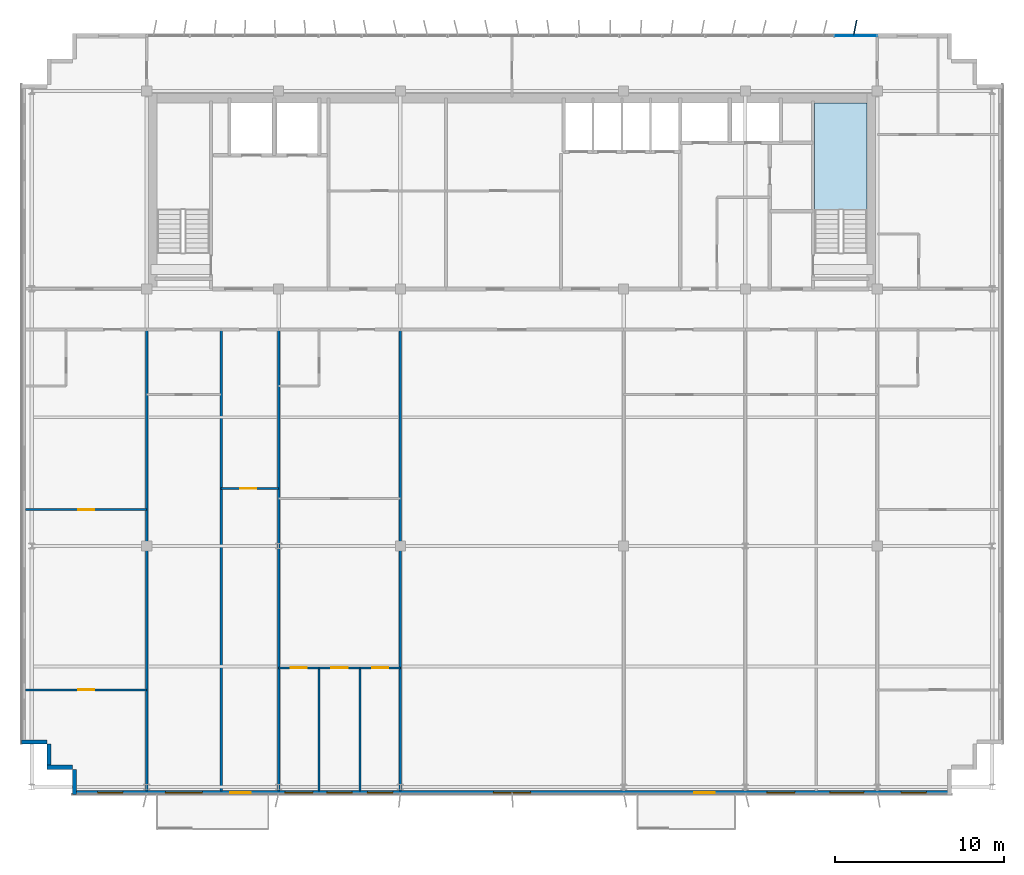
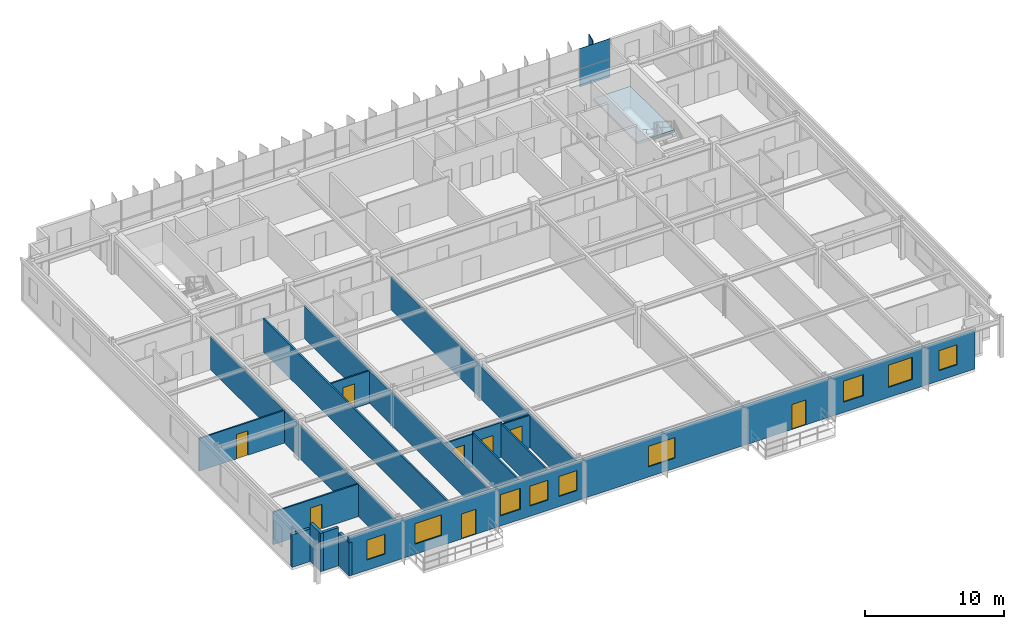
# One storey, part 16 of 22: 17 walls, 9 windows, 8 doors, 3 plates, 1 slab, 17 openings, 2 elements without a shape of their own.
"""IFC4 building model written with IfcOpenShell, lengths in metres."""

from ifc_helpers import new_model, si_unit, direction, frame, frame_2d, origin, origin_2d, place, context, subcontext, project, spatial, polyline, rectangle, outline, extrude, source, transform, mapped, material, layer, layer_set, type_object, element, fill, aggregate, save


model = new_model("IFC4")

# Units and contexts
model_context = context("Model", 3, precision=1e-05, world=origin(), true_north=direction((0.0, 1.0)))
body_context = subcontext(model_context, "Body", "Model", "MODEL_VIEW")
ifc_project = project(units=[si_unit("LENGTHUNIT", "METRE"), si_unit("AREAUNIT", "SQUARE_METRE"), si_unit("VOLUMEUNIT", "CUBIC_METRE"), si_unit("PLANEANGLEUNIT", "RADIAN"), si_unit("MASSUNIT", "GRAM", prefix="KILO")], contexts=[model_context])

# Site, building, storey
site_placement = place(None, origin())
site = spatial("IfcSite", under=ifc_project, at=site_placement, CompositionType="ELEMENT")
building_placement = place(site_placement, origin())
building = spatial("IfcBuilding", under=site, at=building_placement, Name="Trelvane Seafront Commons", CompositionType="ELEMENT")
storey_placement = place(building_placement, frame((0.0, 0.0, 277.5)))
storey = spatial("IfcBuildingStorey", under=building, at=storey_placement, Name="L72", CompositionType="ELEMENT", Elevation=277.5)

# Stair, slab
ifc_material_1 = material(Name="Concrete C40/50", Category="concrete")
stair_type = type_object("IfcStairType", Name="ARCH-STR-ST-2-R20-180", PredefinedType="HALF_TURN_STAIR", material=ifc_material_1)
stair_placement = place(storey_placement, origin())
stair = element("IfcStair", 1, at=stair_placement, inside=storey, type_object=stair_type, Name="L72 East Protected Firefighting Exit Stair ST-2", PredefinedType="HALF_TURN_STAIR")
ifc_layer_1 = layer(ifc_material_1, 0.199951171875, Name="ARCH-LND-200")
ifc_layer_set_1 = layer_set([ifc_layer_1], Name="Concrete C40/50")
slab_type = type_object("IfcSlabType", Name="ARCH-LND-200", PredefinedType="LANDING", material=ifc_layer_set_1)
slab_placement = place(storey_placement, frame((0.0, 0.0, 1.60009765625)))
slab = element("IfcSlab", 2, at=slab_placement, type_object=slab_type, Name="ST-2 landing 1", PredefinedType="LANDING", context=body_context, shape_type="SweptSolid", body=[
    extrude(outline(polyline([(58.199951171875, 38.070068359375), (58.199951171875, 44.39990234375), (55.10009765625, 44.39990234375), (55.10009765625, 38.070068359375), (58.199951171875, 38.070068359375)])), origin(), (0.0, 0.0, 1.0), 0.199951171875),
])
aggregate(stair, [slab])

# Plate
ifc_material_2 = material(Name="Anodised pale-silver aluminium", Category="aluminium")
ifc_layer_2 = layer(ifc_material_2, 0.06005859375, Name="ARCH-PLATE-FIN900")
ifc_layer_set_2 = layer_set([ifc_layer_2], Name="Anodised pale-silver aluminium")
plate_type_1 = type_object("IfcPlateType", Name="ARCH-PLATE-FIN900", PredefinedType="USERDEFINED", material=ifc_layer_set_2)
shared_shape_1 = source(origin(), body_context, "Body", "SweptSolid", [
    extrude(rectangle(XDim=0.89990234375, YDim=0.06005859375, at=origin_2d()), origin(), (0.0, 0.0, 1.0), 3.639892578125),
])
plate_1_placement = place(storey_placement, frame((57.489990234375, 48.8408203125, -0.02001953125), z_axis=(0.0, 0.0, 1.0), x_axis=(0.199896385395, 0.979817041649, 0.0)))
element("IfcPlate", 3, at=plate_1_placement, inside=storey, type_object=plate_type_1, Name="FIN-L72-02027", ObjectType="FIN", PredefinedType="USERDEFINED", context=body_context, shape_type="MappedRepresentation", body=[
    mapped(shared_shape_1, transform((0.0, 0.0, 0.0), x_axis=(1.0, 0.0, 0.0), y_axis=(0.0, 1.0, 0.0), z_axis=(0.0, 0.0, 1.0), scale=1.0)),
])

# Curtain wall, plates
curtain_wall_type = type_object("IfcCurtainWallType", Name="ARCH-CW5-UPTOWER", PredefinedType="NOTDEFINED", material=ifc_material_2)
curtain_wall_placement = place(storey_placement, origin())
curtain_wall = element("IfcCurtainWall", 4, at=curtain_wall_placement, inside=storey, type_object=curtain_wall_type, Name="CW-L72-0116", PredefinedType="NOTDEFINED")
ifc_material_3 = material(Name="Low-E coastal double glazing", Category="glass")
ifc_layer_3 = layer(ifc_material_3, 0.033935546875, Name="ARCH-CW-GLAZ-34")
ifc_layer_set_3 = layer_set([ifc_layer_3], Name="Low-E coastal double glazing")
plate_type_2 = type_object("IfcPlateType", Name="ARCH-CW-GLAZ-34", PredefinedType="CURTAIN_PANEL", material=ifc_layer_set_3)
shared_shape_2 = source(origin(), body_context, "Body", "SweptSolid", [
    extrude(rectangle(XDim=2.51708984375, YDim=0.033935546875, at=origin_2d()), origin(), (0.0, 0.0, 1.0), 1.60009765625),
])
plate_2_placement = place(storey_placement, frame((57.529296875, 48.3701171875, 0.0), z_axis=(0.0, 0.0, 1.0), x_axis=(1.0, 0.0, 0.0)))
plate_2 = element("IfcPlate", 5, at=plate_2_placement, type_object=plate_type_2, Name="CW-L72-0116-P16-1", PredefinedType="CURTAIN_PANEL", context=body_context, shape_type="MappedRepresentation", body=[
    mapped(shared_shape_2, transform((0.0, 0.0, 0.0), x_axis=(1.0, 0.0, 0.0), y_axis=(0.0, 1.0, 0.0), z_axis=(0.0, 0.0, 1.0), scale=1.0)),
])
shared_shape_3 = source(origin(), body_context, "Body", "SweptSolid", [
    extrude(rectangle(XDim=2.51708984375, YDim=0.033935546875, at=origin_2d()), origin(), (0.0, 0.0, 1.0), 1.73388671875),
])
plate_3_placement = place(storey_placement, frame((57.529296875, 48.3701171875, 1.635986328125), z_axis=(0.0, 0.0, 1.0), x_axis=(1.0, 0.0, 0.0)))
plate_3 = element("IfcPlate", 6, at=plate_3_placement, type_object=plate_type_2, Name="CW-L72-0116-P16-2", PredefinedType="CURTAIN_PANEL", context=body_context, shape_type="MappedRepresentation", body=[
    mapped(shared_shape_3, transform((0.0, 0.0, 0.0), x_axis=(1.0, 0.0, 0.0), y_axis=(0.0, 1.0, 0.0), z_axis=(0.0, 0.0, 1.0), scale=1.0)),
])
aggregate(curtain_wall, [plate_2, plate_3])

# Walls
ifc_material_4 = material(Name="Precast concrete C40/50", Category="concrete")
ifc_layer_4 = layer(ifc_material_4, 0.239990234375, Name="ARCH-WALL-EXT240")
ifc_layer_set_4 = layer_set([ifc_layer_4], Name="Precast concrete C40/50")
wall_type_1 = type_object("IfcWallType", Name="ARCH-WALL-EXT240", PredefinedType="SOLIDWALL", material=ifc_layer_set_4)
for number, where, z_axis, x_axis, name in (
    (7, (11.199951171875, 5.1201171875, 0.0), (0.0, 0.0, 1.0), (-1.0, 0.0, 0.0), "EW-L72-01447"),
    (8, (9.820068359375, 5.0, 0.0), (0.0, 0.0, 1.0), (0.0, 1.0, 0.0), "EW-L72-01448"),
):
    element("IfcWall", number, at=place(storey_placement, frame(where, z_axis=z_axis, x_axis=x_axis)), inside=storey, type_object=wall_type_1, Name=name, PredefinedType="SOLIDWALL", context=body_context, shape_type="SweptSolid", body=[
        extrude(rectangle(XDim=1.5, YDim=0.239990234375, at=frame_2d((0.75, 0.0))), origin(), (0.0, 0.0, 1.0), 3.3701171875),
    ])
wall_1_placement = place(storey_placement, frame((9.699951171875, 6.6201171875, 0.0), z_axis=(0.0, 0.0, 1.0), x_axis=(-1.0, 0.0, 0.0)))
element("IfcWall", 9, at=wall_1_placement, inside=storey, type_object=wall_type_1, Name="EW-L72-01449", PredefinedType="SOLIDWALL", context=body_context, shape_type="SweptSolid", body=[
    extrude(rectangle(XDim=1.5, YDim=0.239990234375, at=frame_2d((0.75, 0.0))), origin(), (0.0, 0.0, 1.0), 2.8701171875),
])

# Wall, openings, doors, windows
wall_2_placement = place(storey_placement, frame((63.199951171875, 3.6201171875, 0.0), z_axis=(0.0, 0.0, 1.0), x_axis=(-1.0, 0.0, 0.0)))
wall_2 = element("IfcWall", 10, at=wall_2_placement, inside=storey, type_object=wall_type_1, Name="EW-L72-01464", PredefinedType="SOLIDWALL", context=body_context, shape_type="SweptSolid", body=[
    extrude(rectangle(XDim=52.0, YDim=0.239990234375, at=frame_2d((26.0, 0.0))), origin(), (0.0, 0.0, 1.0), 3.3701171875),
])
opening_1_placement = place(wall_2_placement, frame((1.4951171875, 0.0, 0.89990234375)))
opening_1 = element("IfcOpeningElement", 11, at=opening_1_placement, cuts=wall_2, Name="Opening W03", PredefinedType="OPENING", context=body_context, shape_type="SweptSolid", body=[
    extrude(rectangle(XDim=1.5, YDim=1.75, at=frame_2d((0.75, 0.875))), frame((0.0, 0.1298828125, 0.0), z_axis=(0.0, -1.0, 0.0), x_axis=(1.0, 0.0, 0.0)), (0.0, 0.0, 1.0), 0.260009765625),
])
opening_2_placement = place(wall_2_placement, frame((5.199951171875, 0.0, 0.89990234375)))
opening_2 = element("IfcOpeningElement", 12, at=opening_2_placement, cuts=wall_2, Name="Opening W06", PredefinedType="OPENING", context=body_context, shape_type="SweptSolid", body=[
    extrude(rectangle(XDim=2.0, YDim=1.949951171875, at=frame_2d((1.0, 0.97509765625))), frame((0.0, 0.1298828125, 0.0), z_axis=(0.0, -1.0, 0.0), x_axis=(1.0, 0.0, 0.0)), (0.0, 0.0, 1.0), 0.260009765625),
])
opening_3_placement = place(wall_2_placement, frame((9.27490234375, 0.0, 0.89990234375)))
opening_3 = element("IfcOpeningElement", 13, at=opening_3_placement, cuts=wall_2, Name="Opening W07", PredefinedType="OPENING", context=body_context, shape_type="SweptSolid", body=[
    extrude(rectangle(XDim=1.64990234375, YDim=1.85009765625, at=frame_2d((0.824951171875, 0.925048828125))), frame((0.0, 0.1298828125, 0.0), z_axis=(0.0, -1.0, 0.0), x_axis=(1.0, 0.0, 0.0)), (0.0, 0.0, 1.0), 0.260009765625),
])
opening_4_placement = place(wall_2_placement, frame((14.01708984375, 0.0, 0.0)))
opening_4 = element("IfcOpeningElement", 14, at=opening_4_placement, cuts=wall_2, Name="Opening BD-L72-146", PredefinedType="OPENING", context=body_context, shape_type="SweptSolid", body=[
    extrude(rectangle(XDim=1.199951171875, YDim=2.199951171875, at=frame_2d((0.60009765625, 1.10009765625))), frame((0.0, 0.1298828125, 0.0), z_axis=(0.0, -1.0, 0.0), x_axis=(1.0, 0.0, 0.0)), (0.0, 0.0, 1.0), 0.260009765625),
])
opening_5_placement = place(wall_2_placement, frame((24.89990234375, 0.0, 0.89990234375)))
opening_5 = element("IfcOpeningElement", 15, at=opening_5_placement, cuts=wall_2, Name="Opening W02", PredefinedType="OPENING", context=body_context, shape_type="SweptSolid", body=[
    extrude(rectangle(XDim=2.199951171875, YDim=1.800048828125, at=frame_2d((1.10009765625, 0.89990234375))), frame((0.0, 0.1298828125, 0.0), z_axis=(0.0, -1.0, 0.0), x_axis=(1.0, 0.0, 0.0)), (0.0, 0.0, 1.0), 0.260009765625),
])
opening_6_placement = place(wall_2_placement, frame((33.050048828125, 0.0, 0.89990234375)))
opening_6 = element("IfcOpeningElement", 16, at=opening_6_placement, cuts=wall_2, Name="Opening W03", PredefinedType="OPENING", context=body_context, shape_type="SweptSolid", body=[
    extrude(rectangle(XDim=1.5, YDim=1.75, at=frame_2d((0.75, 0.875))), frame((0.0, 0.1298828125, 0.0), z_axis=(0.0, -1.0, 0.0), x_axis=(1.0, 0.0, 0.0)), (0.0, 0.0, 1.0), 0.260009765625),
])
opening_7_placement = place(wall_2_placement, frame((35.449951171875, 0.0, 0.89990234375)))
opening_7 = element("IfcOpeningElement", 17, at=opening_7_placement, cuts=wall_2, Name="Opening W03", PredefinedType="OPENING", context=body_context, shape_type="SweptSolid", body=[
    extrude(rectangle(XDim=1.5, YDim=1.75, at=frame_2d((0.75, 0.875))), frame((0.0, 0.1298828125, 0.0), z_axis=(0.0, -1.0, 0.0), x_axis=(1.0, 0.0, 0.0)), (0.0, 0.0, 1.0), 0.260009765625),
])
opening_8_placement = place(wall_2_placement, frame((37.77490234375, 0.0, 0.89990234375)))
opening_8 = element("IfcOpeningElement", 18, at=opening_8_placement, cuts=wall_2, Name="Opening W07", PredefinedType="OPENING", context=body_context, shape_type="SweptSolid", body=[
    extrude(rectangle(XDim=1.64990234375, YDim=1.85009765625, at=frame_2d((0.824951171875, 0.925048828125))), frame((0.0, 0.1298828125, 0.0), z_axis=(0.0, -1.0, 0.0), x_axis=(1.0, 0.0, 0.0)), (0.0, 0.0, 1.0), 0.260009765625),
])
opening_9_placement = place(wall_2_placement, frame((41.451904296875, 0.0, 0.0)))
opening_9 = element("IfcOpeningElement", 19, at=opening_9_placement, cuts=wall_2, Name="Opening BD-L72-147", PredefinedType="OPENING", context=body_context, shape_type="SweptSolid", body=[
    extrude(rectangle(XDim=1.199951171875, YDim=2.199951171875, at=frame_2d((0.60009765625, 1.10009765625))), frame((0.0, 0.1298828125, 0.0), z_axis=(0.0, -1.0, 0.0), x_axis=(1.0, 0.0, 0.0)), (0.0, 0.0, 1.0), 0.260009765625),
])
opening_10_placement = place(wall_2_placement, frame((44.300048828125, 0.0, 0.89990234375)))
opening_10 = element("IfcOpeningElement", 20, at=opening_10_placement, cuts=wall_2, Name="Opening W02", PredefinedType="OPENING", context=body_context, shape_type="SweptSolid", body=[
    extrude(rectangle(XDim=2.199951171875, YDim=1.800048828125, at=frame_2d((1.10009765625, 0.89990234375))), frame((0.0, 0.1298828125, 0.0), z_axis=(0.0, -1.0, 0.0), x_axis=(1.0, 0.0, 0.0)), (0.0, 0.0, 1.0), 0.260009765625),
])
opening_11_placement = place(wall_2_placement, frame((49.0048828125, 0.0, 0.89990234375)))
opening_11 = element("IfcOpeningElement", 21, at=opening_11_placement, cuts=wall_2, Name="Opening W03", PredefinedType="OPENING", context=body_context, shape_type="SweptSolid", body=[
    extrude(rectangle(XDim=1.5, YDim=1.75, at=frame_2d((0.75, 0.875))), frame((0.0, 0.1298828125, 0.0), z_axis=(0.0, -1.0, 0.0), x_axis=(1.0, 0.0, 0.0)), (0.0, 0.0, 1.0), 0.260009765625),
])
ifc_material_5 = material(Name="Powder-coated aluminium frame", Category="aluminium")
door_type_1 = type_object("IfcDoorType", Name="ARCH-DR-BAL1200", OperationType="NOTDEFINED", PredefinedType="DOOR", material=ifc_material_5)
shared_shape_4 = source(origin(), body_context, "Body", "SweptSolid", [
    extrude(rectangle(XDim=1.199951171875, YDim=2.199951171875, at=frame_2d((0.60009765625, 1.10009765625))), frame((0.0, 0.02490234375, 0.0), z_axis=(0.0, -1.0, 0.0), x_axis=(1.0, 0.0, 0.0)), (0.0, 0.0, 1.0), 0.050048828125),
])
door_1_placement = place(opening_4_placement, origin())
door_1 = element("IfcDoor", 22, at=door_1_placement, inside=storey, type_object=door_type_1, Name="L72 Balcony Terrace Access Door", OperationType="SINGLE_SWING_LEFT", OverallHeight=2.199951171875, OverallWidth=1.199951171875, PredefinedType="DOOR", context=body_context, shape_type="MappedRepresentation", body=[
    mapped(shared_shape_4, transform((0.0, 0.0, 0.0), x_axis=(1.0, 0.0, 0.0), y_axis=(0.0, 1.0, 0.0), z_axis=(0.0, 0.0, 1.0), scale=1.0)),
])
fill(opening_4, door_1)
door_2_placement = place(opening_9_placement, origin())
door_2 = element("IfcDoor", 23, at=door_2_placement, inside=storey, type_object=door_type_1, Name="L72 Balcony Terrace Access Door", OperationType="SINGLE_SWING_LEFT", OverallHeight=2.199951171875, OverallWidth=1.199951171875, PredefinedType="DOOR", context=body_context, shape_type="MappedRepresentation", body=[
    mapped(shared_shape_4, transform((0.0, 0.0, 0.0), x_axis=(1.0, 0.0, 0.0), y_axis=(0.0, 1.0, 0.0), z_axis=(0.0, 0.0, 1.0), scale=1.0)),
])
fill(opening_9, door_2)
window_type_1 = type_object("IfcWindowType", Name="ARCH-WIN-W02", PartitioningType="SINGLE_PANEL", PredefinedType="WINDOW", material=ifc_material_3)
shared_shape_5 = source(origin(), body_context, "Body", "SweptSolid", [
    extrude(rectangle(XDim=2.199951171875, YDim=1.800048828125, at=frame_2d((1.10009765625, 0.89990234375))), frame((0.0, 0.030029296875, 0.0), z_axis=(0.0, -1.0, 0.0), x_axis=(1.0, 0.0, 0.0)), (0.0, 0.0, 1.0), 0.06005859375),
])
window_1_placement = place(opening_5_placement, origin())
window_1 = element("IfcWindow", 24, at=window_1_placement, inside=storey, type_object=window_type_1, Name="WIN-L72-01741", OverallHeight=1.800048828125, OverallWidth=2.199951171875, PartitioningType="SINGLE_PANEL", PredefinedType="WINDOW", context=body_context, shape_type="MappedRepresentation", body=[
    mapped(shared_shape_5, transform((0.0, 0.0, 0.0), x_axis=(1.0, 0.0, 0.0), y_axis=(0.0, 1.0, 0.0), z_axis=(0.0, 0.0, 1.0), scale=1.0)),
])
fill(opening_5, window_1)
window_2_placement = place(opening_10_placement, origin())
window_2 = element("IfcWindow", 25, at=window_2_placement, inside=storey, type_object=window_type_1, Name="WIN-L72-01745", OverallHeight=1.800048828125, OverallWidth=2.199951171875, PartitioningType="SINGLE_PANEL", PredefinedType="WINDOW", context=body_context, shape_type="MappedRepresentation", body=[
    mapped(shared_shape_5, transform((0.0, 0.0, 0.0), x_axis=(1.0, 0.0, 0.0), y_axis=(0.0, 1.0, 0.0), z_axis=(0.0, 0.0, 1.0), scale=1.0)),
])
fill(opening_10, window_2)
window_type_2 = type_object("IfcWindowType", Name="ARCH-WIN-W03", PartitioningType="SINGLE_PANEL", PredefinedType="WINDOW", material=ifc_material_3)
shared_shape_6 = source(origin(), body_context, "Body", "SweptSolid", [
    extrude(rectangle(XDim=1.5, YDim=1.75, at=frame_2d((0.75, 0.875))), frame((0.0, 0.030029296875, 0.0), z_axis=(0.0, -1.0, 0.0), x_axis=(1.0, 0.0, 0.0)), (0.0, 0.0, 1.0), 0.06005859375),
])
window_3_placement = place(opening_1_placement, origin())
window_3 = element("IfcWindow", 26, at=window_3_placement, inside=storey, type_object=window_type_2, Name="WIN-L72-01738", OverallHeight=1.75, OverallWidth=1.5, PartitioningType="SINGLE_PANEL", PredefinedType="WINDOW", context=body_context, shape_type="MappedRepresentation", body=[
    mapped(shared_shape_6, transform((0.0, 0.0, 0.0), x_axis=(1.0, 0.0, 0.0), y_axis=(0.0, 1.0, 0.0), z_axis=(0.0, 0.0, 1.0), scale=1.0)),
])
fill(opening_1, window_3)
window_4_placement = place(opening_6_placement, origin())
window_4 = element("IfcWindow", 27, at=window_4_placement, inside=storey, type_object=window_type_2, Name="WIN-L72-01742", OverallHeight=1.75, OverallWidth=1.5, PartitioningType="SINGLE_PANEL", PredefinedType="WINDOW", context=body_context, shape_type="MappedRepresentation", body=[
    mapped(shared_shape_6, transform((0.0, 0.0, 0.0), x_axis=(1.0, 0.0, 0.0), y_axis=(0.0, 1.0, 0.0), z_axis=(0.0, 0.0, 1.0), scale=1.0)),
])
fill(opening_6, window_4)
window_5_placement = place(opening_7_placement, origin())
window_5 = element("IfcWindow", 28, at=window_5_placement, inside=storey, type_object=window_type_2, Name="WIN-L72-01743", OverallHeight=1.75, OverallWidth=1.5, PartitioningType="SINGLE_PANEL", PredefinedType="WINDOW", context=body_context, shape_type="MappedRepresentation", body=[
    mapped(shared_shape_6, transform((0.0, 0.0, 0.0), x_axis=(1.0, 0.0, 0.0), y_axis=(0.0, 1.0, 0.0), z_axis=(0.0, 0.0, 1.0), scale=1.0)),
])
fill(opening_7, window_5)
window_6_placement = place(opening_11_placement, origin())
window_6 = element("IfcWindow", 29, at=window_6_placement, inside=storey, type_object=window_type_2, Name="WIN-L72-01746", OverallHeight=1.75, OverallWidth=1.5, PartitioningType="SINGLE_PANEL", PredefinedType="WINDOW", context=body_context, shape_type="MappedRepresentation", body=[
    mapped(shared_shape_6, transform((0.0, 0.0, 0.0), x_axis=(1.0, 0.0, 0.0), y_axis=(0.0, 1.0, 0.0), z_axis=(0.0, 0.0, 1.0), scale=1.0)),
])
fill(opening_11, window_6)
window_type_3 = type_object("IfcWindowType", Name="ARCH-WIN-W06", PartitioningType="SINGLE_PANEL", PredefinedType="WINDOW", material=ifc_material_3)
shared_shape_7 = source(origin(), body_context, "Body", "SweptSolid", [
    extrude(rectangle(XDim=2.0, YDim=1.949951171875, at=frame_2d((1.0, 0.97509765625))), frame((0.0, 0.030029296875, 0.0), z_axis=(0.0, -1.0, 0.0), x_axis=(1.0, 0.0, 0.0)), (0.0, 0.0, 1.0), 0.06005859375),
])
window_7_placement = place(opening_2_placement, origin())
window_7 = element("IfcWindow", 30, at=window_7_placement, inside=storey, type_object=window_type_3, Name="WIN-L72-01739", OverallHeight=1.949951171875, OverallWidth=2.0, PartitioningType="SINGLE_PANEL", PredefinedType="WINDOW", context=body_context, shape_type="MappedRepresentation", body=[
    mapped(shared_shape_7, transform((0.0, 0.0, 0.0), x_axis=(1.0, 0.0, 0.0), y_axis=(0.0, 1.0, 0.0), z_axis=(0.0, 0.0, 1.0), scale=1.0)),
])
fill(opening_2, window_7)
window_type_4 = type_object("IfcWindowType", Name="ARCH-WIN-W07", PartitioningType="SINGLE_PANEL", PredefinedType="WINDOW", material=ifc_material_3)
shared_shape_8 = source(origin(), body_context, "Body", "SweptSolid", [
    extrude(rectangle(XDim=1.64990234375, YDim=1.85009765625, at=frame_2d((0.824951171875, 0.925048828125))), frame((0.0, 0.030029296875, 0.0), z_axis=(0.0, -1.0, 0.0), x_axis=(1.0, 0.0, 0.0)), (0.0, 0.0, 1.0), 0.06005859375),
])
window_8_placement = place(opening_3_placement, origin())
window_8 = element("IfcWindow", 31, at=window_8_placement, inside=storey, type_object=window_type_4, Name="WIN-L72-01740", OverallHeight=1.85009765625, OverallWidth=1.64990234375, PartitioningType="SINGLE_PANEL", PredefinedType="WINDOW", context=body_context, shape_type="MappedRepresentation", body=[
    mapped(shared_shape_8, transform((0.0, 0.0, 0.0), x_axis=(1.0, 0.0, 0.0), y_axis=(0.0, 1.0, 0.0), z_axis=(0.0, 0.0, 1.0), scale=1.0)),
])
fill(opening_3, window_8)
window_9_placement = place(opening_8_placement, origin())
window_9 = element("IfcWindow", 32, at=window_9_placement, inside=storey, type_object=window_type_4, Name="WIN-L72-01744", OverallHeight=1.85009765625, OverallWidth=1.64990234375, PartitioningType="SINGLE_PANEL", PredefinedType="WINDOW", context=body_context, shape_type="MappedRepresentation", body=[
    mapped(shared_shape_8, transform((0.0, 0.0, 0.0), x_axis=(1.0, 0.0, 0.0), y_axis=(0.0, 1.0, 0.0), z_axis=(0.0, 0.0, 1.0), scale=1.0)),
])
fill(opening_8, window_9)

# Wall
wall_3_placement = place(storey_placement, frame((11.320068359375, 3.5, 0.0), z_axis=(0.0, 0.0, 1.0), x_axis=(0.0, 1.0, 0.0)))
element("IfcWall", 33, at=wall_3_placement, inside=storey, type_object=wall_type_1, Name="EW-L72-01465", PredefinedType="SOLIDWALL", context=body_context, shape_type="SweptSolid", body=[
    extrude(rectangle(XDim=1.5, YDim=0.239990234375, at=frame_2d((0.75, 0.0))), origin(), (0.0, 0.0, 1.0), 2.919921875),
])

# Wall, opening, door
ifc_material_6 = material(Name="Gypsum Drywall Acoustic Partition")
ifc_layer_5 = layer(ifc_material_6, 0.1201171875, Name="ARCH-WALL-PART120")
ifc_layer_set_5 = layer_set([ifc_layer_5], Name="Gypsum Drywall Acoustic Partition")
wall_type_2 = type_object("IfcWallType", Name="ARCH-WALL-PART120", PredefinedType="PARTITIONING", material=ifc_layer_set_5)
wall_4_placement = place(storey_placement, frame((8.43994140625, 20.35009765625, 0.0), z_axis=(0.0, 0.0, 1.0), x_axis=(1.0, 0.0, 0.0)))
wall_4 = element("IfcWall", 34, at=wall_4_placement, inside=storey, type_object=wall_type_2, Name="W-L72-U1-KL-053", PredefinedType="PARTITIONING", context=body_context, shape_type="SweptSolid", body=[
    extrude(rectangle(XDim=7.16015625, YDim=0.1201171875, at=frame_2d((3.580078125, 0.0))), origin(), (0.0, 0.0, 1.0), 2.8701171875),
])
opening_12_placement = place(wall_4_placement, frame((3.10498046875, 0.0, 0.0)))
opening_12 = element("IfcOpeningElement", 35, at=opening_12_placement, cuts=wall_4, Name="Opening D-L72-29", PredefinedType="OPENING", context=body_context, shape_type="SweptSolid", body=[
    extrude(rectangle(XDim=0.949951171875, YDim=2.14990234375, at=frame_2d((0.47509765625, 1.074951171875))), frame((0.0, 0.070068359375, 0.0), z_axis=(0.0, -1.0, 0.0), x_axis=(1.0, 0.0, 0.0)), (0.0, 0.0, 1.0), 0.14013671875),
])
ifc_material_7 = material(Name="Acoustic timber door leaf", Category="wood")
door_type_2 = type_object("IfcDoorType", Name="ARCH-DR-INT950", OperationType="NOTDEFINED", PredefinedType="DOOR", material=ifc_material_7)
shared_shape_9 = source(origin(), body_context, "Body", "SweptSolid", [
    extrude(rectangle(XDim=0.949951171875, YDim=2.14990234375, at=frame_2d((0.47509765625, 1.074951171875))), frame((0.0, 0.02490234375, 0.0), z_axis=(0.0, -1.0, 0.0), x_axis=(1.0, 0.0, 0.0)), (0.0, 0.0, 1.0), 0.050048828125),
])
door_3_placement = place(opening_12_placement, origin())
door_3 = element("IfcDoor", 36, at=door_3_placement, inside=storey, type_object=door_type_2, Name="L72 Door 29", OperationType="SINGLE_SWING_LEFT", OverallHeight=2.14990234375, OverallWidth=0.949951171875, PredefinedType="DOOR", context=body_context, shape_type="MappedRepresentation", body=[
    mapped(shared_shape_9, transform((0.0, 0.0, 0.0), x_axis=(1.0, 0.0, 0.0), y_axis=(0.0, 1.0, 0.0), z_axis=(0.0, 0.0, 1.0), scale=1.0)),
])
fill(opening_12, door_3)

wall_5_placement = place(storey_placement, frame((8.43994140625, 9.699951171875, 0.0), z_axis=(0.0, 0.0, 1.0), x_axis=(1.0, 0.0, 0.0)))
wall_5 = element("IfcWall", 37, at=wall_5_placement, inside=storey, type_object=wall_type_2, Name="W-L72-U1-YM-1-057", PredefinedType="PARTITIONING", context=body_context, shape_type="SweptSolid", body=[
    extrude(rectangle(XDim=7.16015625, YDim=0.1201171875, at=frame_2d((3.580078125, 0.0))), origin(), (0.0, 0.0, 1.0), 2.8701171875),
])
opening_13_placement = place(wall_5_placement, frame((3.10498046875, 0.0, 0.0)))
opening_13 = element("IfcOpeningElement", 38, at=opening_13_placement, cuts=wall_5, Name="Opening D-L72-32", PredefinedType="OPENING", context=body_context, shape_type="SweptSolid", body=[
    extrude(rectangle(XDim=0.949951171875, YDim=2.14990234375, at=frame_2d((0.47509765625, 1.074951171875))), frame((0.0, 0.070068359375, 0.0), z_axis=(0.0, -1.0, 0.0), x_axis=(1.0, 0.0, 0.0)), (0.0, 0.0, 1.0), 0.14013671875),
])
door_4_placement = place(opening_13_placement, origin())
door_4 = element("IfcDoor", 39, at=door_4_placement, inside=storey, type_object=door_type_2, Name="L72 Door 32", OperationType="SINGLE_SWING_RIGHT", OverallHeight=2.14990234375, OverallWidth=0.949951171875, PredefinedType="DOOR", context=body_context, shape_type="MappedRepresentation", body=[
    mapped(shared_shape_9, transform((0.0, 0.0, 0.0), x_axis=(1.0, 0.0, 0.0), y_axis=(0.0, 1.0, 0.0), z_axis=(0.0, 0.0, 1.0), scale=1.0)),
])
fill(opening_13, door_4)

wall_6_placement = place(storey_placement, frame((20.0, 21.60009765625, 0.0), z_axis=(0.0, 0.0, 1.0), x_axis=(1.0, 0.0, 0.0)))
wall_6 = element("IfcWall", 40, at=wall_6_placement, inside=storey, type_object=wall_type_2, Name="W-L72-U3-DIV-061", PredefinedType="PARTITIONING", context=body_context, shape_type="SweptSolid", body=[
    extrude(rectangle(XDim=3.39990234375, YDim=0.1201171875, at=frame_2d((1.699951171875, 0.0))), origin(), (0.0, 0.0, 1.0), 2.8701171875),
])
opening_14_placement = place(wall_6_placement, frame((1.131103515625, 0.0, 0.0)))
opening_14 = element("IfcOpeningElement", 41, at=opening_14_placement, cuts=wall_6, Name="Opening D-L72-36", PredefinedType="OPENING", context=body_context, shape_type="SweptSolid", body=[
    extrude(rectangle(XDim=0.949951171875, YDim=2.14990234375, at=frame_2d((0.47509765625, 1.074951171875))), frame((0.0, 0.070068359375, 0.0), z_axis=(0.0, -1.0, 0.0), x_axis=(1.0, 0.0, 0.0)), (0.0, 0.0, 1.0), 0.14013671875),
])
door_5_placement = place(opening_14_placement, origin())
door_5 = element("IfcDoor", 42, at=door_5_placement, inside=storey, type_object=door_type_2, Name="L72 Door 36", OperationType="SINGLE_SWING_RIGHT", OverallHeight=2.14990234375, OverallWidth=0.949951171875, PredefinedType="DOOR", context=body_context, shape_type="MappedRepresentation", body=[
    mapped(shared_shape_9, transform((0.0, 0.0, 0.0), x_axis=(1.0, 0.0, 0.0), y_axis=(0.0, 1.0, 0.0), z_axis=(0.0, 0.0, 1.0), scale=1.0)),
])
fill(opening_14, door_5)

wall_7_placement = place(storey_placement, frame((23.39990234375, 11.0, 0.0), z_axis=(0.0, 0.0, 1.0), x_axis=(1.0, 0.0, 0.0)))
wall_7 = element("IfcWall", 43, at=wall_7_placement, inside=storey, type_object=wall_type_2, Name="W-L72-U4-YM-1-066", PredefinedType="PARTITIONING", context=body_context, shape_type="SweptSolid", body=[
    extrude(rectangle(XDim=2.400146484375, YDim=0.1201171875, at=frame_2d((1.2001953125, 0.0))), origin(), (0.0, 0.0, 1.0), 2.8701171875),
])
opening_15_placement = place(wall_7_placement, frame((0.72509765625, 0.0, 0.0)))
opening_15 = element("IfcOpeningElement", 44, at=opening_15_placement, cuts=wall_7, Name="Opening D-L72-40", PredefinedType="OPENING", context=body_context, shape_type="SweptSolid", body=[
    extrude(rectangle(XDim=0.949951171875, YDim=2.14990234375, at=frame_2d((0.47509765625, 1.074951171875))), frame((0.0, 0.070068359375, 0.0), z_axis=(0.0, -1.0, 0.0), x_axis=(1.0, 0.0, 0.0)), (0.0, 0.0, 1.0), 0.14013671875),
])
door_6_placement = place(opening_15_placement, origin())
door_6 = element("IfcDoor", 45, at=door_6_placement, inside=storey, type_object=door_type_2, Name="L72 Door 40", OperationType="SINGLE_SWING_RIGHT", OverallHeight=2.14990234375, OverallWidth=0.949951171875, PredefinedType="DOOR", context=body_context, shape_type="MappedRepresentation", body=[
    mapped(shared_shape_9, transform((0.0, 0.0, 0.0), x_axis=(1.0, 0.0, 0.0), y_axis=(0.0, 1.0, 0.0), z_axis=(0.0, 0.0, 1.0), scale=1.0)),
])
fill(opening_15, door_6)

wall_8_placement = place(storey_placement, frame((25.800048828125, 11.0, 0.0), z_axis=(0.0, 0.0, 1.0), x_axis=(1.0, 0.0, 0.0)))
wall_8 = element("IfcWall", 46, at=wall_8_placement, inside=storey, type_object=wall_type_2, Name="W-L72-U4-YM-2-067", PredefinedType="PARTITIONING", context=body_context, shape_type="SweptSolid", body=[
    extrude(rectangle(XDim=2.39990234375, YDim=0.1201171875, at=frame_2d((1.199951171875, 0.0))), origin(), (0.0, 0.0, 1.0), 3.070068359375),
])
opening_16_placement = place(wall_8_placement, frame((0.72509765625, 0.0, 0.0)))
opening_16 = element("IfcOpeningElement", 47, at=opening_16_placement, cuts=wall_8, Name="Opening D-L72-41", PredefinedType="OPENING", context=body_context, shape_type="SweptSolid", body=[
    extrude(rectangle(XDim=0.949951171875, YDim=2.14990234375, at=frame_2d((0.47509765625, 1.074951171875))), frame((0.0, 0.070068359375, 0.0), z_axis=(0.0, -1.0, 0.0), x_axis=(1.0, 0.0, 0.0)), (0.0, 0.0, 1.0), 0.14013671875),
])
door_7_placement = place(opening_16_placement, origin())
door_7 = element("IfcDoor", 48, at=door_7_placement, inside=storey, type_object=door_type_2, Name="L72 Door 41", OperationType="SINGLE_SWING_LEFT", OverallHeight=2.14990234375, OverallWidth=0.949951171875, PredefinedType="DOOR", context=body_context, shape_type="MappedRepresentation", body=[
    mapped(shared_shape_9, transform((0.0, 0.0, 0.0), x_axis=(1.0, 0.0, 0.0), y_axis=(0.0, 1.0, 0.0), z_axis=(0.0, 0.0, 1.0), scale=1.0)),
])
fill(opening_16, door_7)

# Wall
wall_9_placement = place(storey_placement, frame((25.800048828125, 3.72509765625, 0.0), z_axis=(0.0, 0.0, 1.0), x_axis=(0.0, 1.0, 0.0)))
element("IfcWall", 49, at=wall_9_placement, inside=storey, type_object=wall_type_2, Name="W-L72-U4-BDV-1-068", PredefinedType="PARTITIONING", context=body_context, shape_type="SweptSolid", body=[
    extrude(rectangle(XDim=7.27490234375, YDim=0.1201171875, at=frame_2d((3.637451171875, 0.0))), origin(), (0.0, 0.0, 1.0), 2.919921875),
])

# Wall, opening, door
wall_10_placement = place(storey_placement, frame((28.199951171875, 11.0, 0.0), z_axis=(0.0, 0.0, 1.0), x_axis=(1.0, 0.0, 0.0)))
wall_10 = element("IfcWall", 50, at=wall_10_placement, inside=storey, type_object=wall_type_2, Name="W-L72-U4-YM-3-069", PredefinedType="PARTITIONING", context=body_context, shape_type="SweptSolid", body=[
    extrude(rectangle(XDim=2.400146484375, YDim=0.1201171875, at=frame_2d((1.2001953125, 0.0))), origin(), (0.0, 0.0, 1.0), 2.8701171875),
])
opening_17_placement = place(wall_10_placement, frame((0.72509765625, 0.0, 0.0)))
opening_17 = element("IfcOpeningElement", 51, at=opening_17_placement, cuts=wall_10, Name="Opening D-L72-42", PredefinedType="OPENING", context=body_context, shape_type="SweptSolid", body=[
    extrude(rectangle(XDim=0.949951171875, YDim=2.14990234375, at=frame_2d((0.47509765625, 1.074951171875))), frame((0.0, 0.070068359375, 0.0), z_axis=(0.0, -1.0, 0.0), x_axis=(1.0, 0.0, 0.0)), (0.0, 0.0, 1.0), 0.14013671875),
])
door_8_placement = place(opening_17_placement, origin())
door_8 = element("IfcDoor", 52, at=door_8_placement, inside=storey, type_object=door_type_2, Name="L72 Door 42", OperationType="SINGLE_SWING_RIGHT", OverallHeight=2.14990234375, OverallWidth=0.949951171875, PredefinedType="DOOR", context=body_context, shape_type="MappedRepresentation", body=[
    mapped(shared_shape_9, transform((0.0, 0.0, 0.0), x_axis=(1.0, 0.0, 0.0), y_axis=(0.0, 1.0, 0.0), z_axis=(0.0, 0.0, 1.0), scale=1.0)),
])
fill(opening_17, door_8)

# Walls
wall_11_placement = place(storey_placement, frame((28.199951171875, 3.72509765625, 0.0), z_axis=(0.0, 0.0, 1.0), x_axis=(0.0, 1.0, 0.0)))
element("IfcWall", 53, at=wall_11_placement, inside=storey, type_object=wall_type_2, Name="W-L72-U4-BDV-2-070", PredefinedType="PARTITIONING", context=body_context, shape_type="SweptSolid", body=[
    extrude(rectangle(XDim=7.27490234375, YDim=0.1201171875, at=frame_2d((3.637451171875, 0.0))), origin(), (0.0, 0.0, 1.0), 2.919921875),
])
ifc_layer_6 = layer(ifc_material_6, 0.14990234375, Name="ARCH-WALL-PART150")
ifc_layer_set_6 = layer_set([ifc_layer_6], Name="Gypsum Drywall Acoustic Partition")
wall_type_3 = type_object("IfcWallType", Name="ARCH-WALL-PART150", PredefinedType="PARTITIONING", material=ifc_layer_set_6)
wall_12_placement = place(storey_placement, frame((15.60009765625, 3.72509765625, 0.0), z_axis=(0.0, 0.0, 1.0), x_axis=(0.0, 1.0, 0.0)))
element("IfcWall", 54, at=wall_12_placement, inside=storey, type_object=wall_type_3, Name="W-L72-PW-1-045", PredefinedType="PARTITIONING", context=body_context, shape_type="SweptSolid", body=[
    extrude(rectangle(XDim=27.27490234375, YDim=0.14990234375, at=frame_2d((13.637451171875, 0.0))), origin(), (0.0, 0.0, 1.0), 2.8701171875),
])
wall_13_placement = place(storey_placement, frame((20.0, 3.72509765625, 0.0), z_axis=(0.0, 0.0, 1.0), x_axis=(0.0, 1.0, 0.0)))
element("IfcWall", 55, at=wall_13_placement, inside=storey, type_object=wall_type_3, Name="W-L72-PW-2-046", PredefinedType="PARTITIONING", context=body_context, shape_type="SweptSolid", body=[
    extrude(rectangle(XDim=27.27490234375, YDim=0.14990234375, at=frame_2d((13.637451171875, 0.0))), origin(), (0.0, 0.0, 1.0), 2.919921875),
])
for number, where, z_axis, x_axis, name in (
    (56, (23.39990234375, 3.72509765625, 0.0), (0.0, 0.0, 1.0), (0.0, 1.0, 0.0), "W-L72-PW-3-047"),
    (57, (30.60009765625, 3.72509765625, 0.0), (0.0, 0.0, 1.0), (0.0, 1.0, 0.0), "W-L72-PW-4-048"),
):
    element("IfcWall", number, at=place(storey_placement, frame(where, z_axis=z_axis, x_axis=x_axis)), inside=storey, type_object=wall_type_3, Name=name, PredefinedType="PARTITIONING", context=body_context, shape_type="SweptSolid", body=[
        extrude(rectangle(XDim=27.27490234375, YDim=0.14990234375, at=frame_2d((13.637451171875, 0.0))), origin(), (0.0, 0.0, 1.0), 2.8701171875),
    ])

save(model, "model.ifc")
